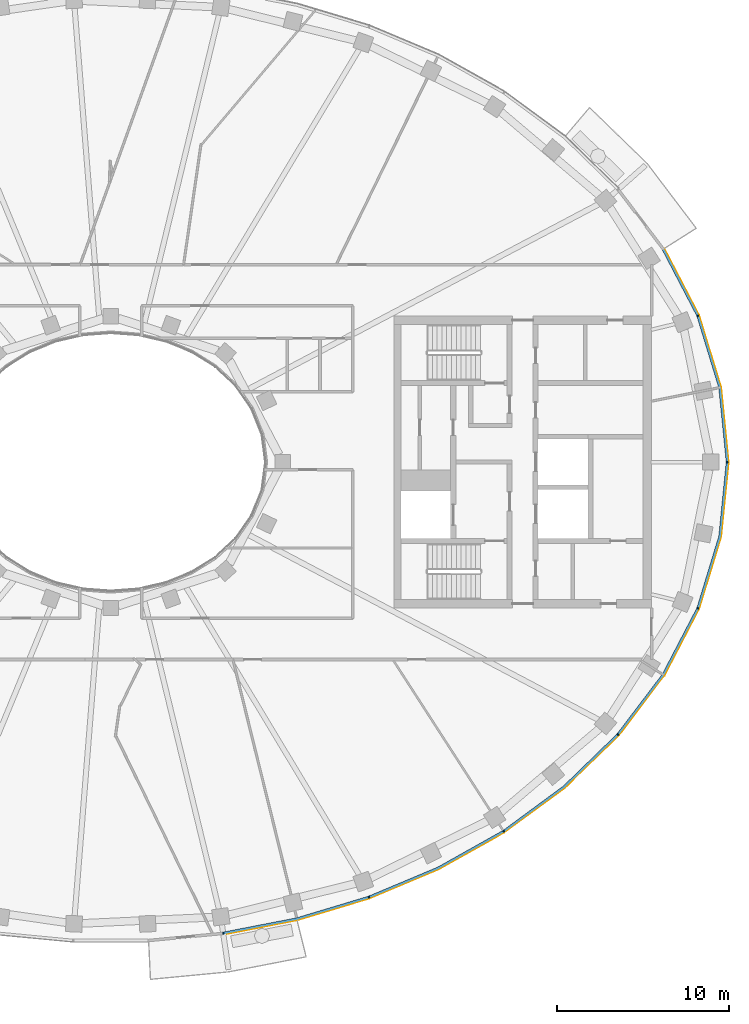
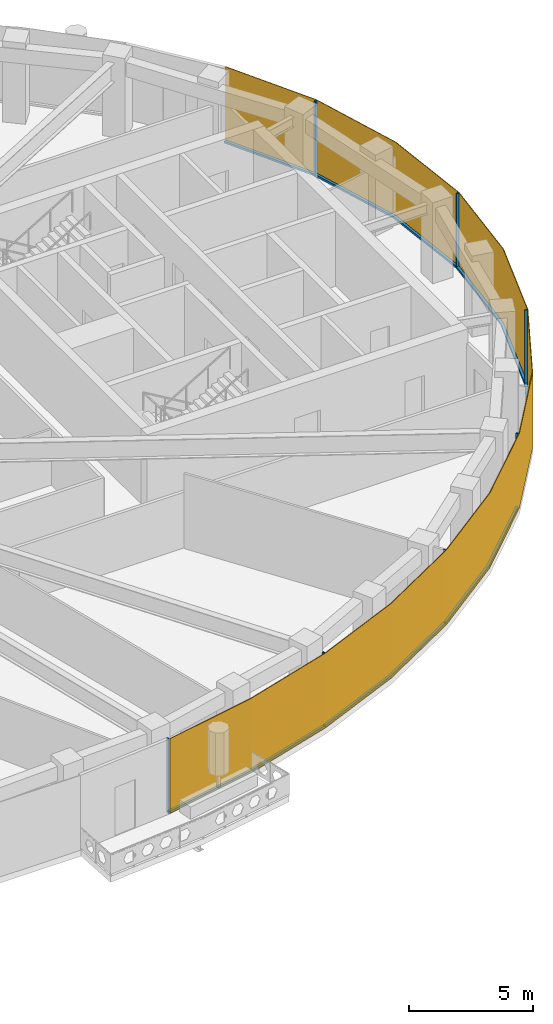
# One storey, part 10 of 16: 14 members, 1 curtain wall.
"""IFC4 building model written with IfcOpenShell, lengths in metres."""

from ifc_helpers import new_model, si_unit, direction, frame, origin, origin_2d, place, context, subcontext, project, spatial, polyline, rectangle, outline, extrude, material, layer, layer_set, material_profile, profile_set, type_object, element, aggregate, save


model = new_model("IFC4")

# Units and contexts
model_context = context("Model", 3, precision=1e-05, world=origin(), true_north=direction((0.0, 1.0)))
body_context = subcontext(model_context, "Body", "Model", "MODEL_VIEW")
ifc_project = project(units=[si_unit("LENGTHUNIT", "METRE"), si_unit("AREAUNIT", "SQUARE_METRE"), si_unit("VOLUMEUNIT", "CUBIC_METRE"), si_unit("PLANEANGLEUNIT", "RADIAN"), si_unit("MASSUNIT", "GRAM", prefix="KILO")], contexts=[model_context])

# Member
ifc_material_1 = material(Name="Aluminium 6063-T6 black anodised", Category="aluminium")
ifc_material_profile = material_profile(ifc_material_1, rectangle(XDim=0.1201171875, YDim=0.06005859375, at=origin_2d()), Name="120x60")
ifc_profile_set = profile_set([ifc_material_profile], Name="Aluminium 6063-T6 black anodised")
member_type_1 = type_object("IfcMemberType", Name="ENV-MULLION-A-120", PredefinedType="MULLION", material=ifc_profile_set)
site_placement = place(None, origin())
building_placement = place(site_placement, origin())
storey_placement = place(building_placement, frame((0.0, 0.0, 299.0)))
member_1_placement = place(storey_placement, frame((6.54638671875, -27.440185546875, 0.0), z_axis=(0.0, 0.0, 1.0), x_axis=(-0.143082012705, 0.989710835366, 0.0)))
member_1 = element("IfcMember", 1, at=member_1_placement, type_object=member_type_1, Name="Mullion A radial 37", PredefinedType="MULLION", context=body_context, shape_type="SweptSolid", body=[
    extrude(rectangle(XDim=0.1201171875, YDim=0.06005859375, at=origin_2d()), origin(), (0.0, 0.0, 1.0), 3.699951171875),
])

member_2_placement = place(storey_placement, frame((15.0341796875, -25.34375, 0.0), z_axis=(0.0, 0.0, 1.0), x_axis=(-0.338379256581, 0.941009818608, 0.0)))
member_2 = element("IfcMember", 2, at=member_2_placement, type_object=member_type_1, Name="Mullion A radial 39", PredefinedType="MULLION", context=body_context, shape_type="SweptSolid", body=[
    extrude(rectangle(XDim=0.1201171875, YDim=0.06005859375, at=origin_2d()), origin(), (0.0, 0.0, 1.0), 3.699951171875),
])

member_3_placement = place(storey_placement, frame((22.882568359375, -21.506591796875, 0.0), z_axis=(0.0, 0.0, 1.0), x_axis=(-0.542279153225, 0.840198381323, 0.0)))
member_3 = element("IfcMember", 3, at=member_3_placement, type_object=member_type_1, Name="Mullion A radial 41", PredefinedType="MULLION", context=body_context, shape_type="SweptSolid", body=[
    extrude(rectangle(XDim=0.1201171875, YDim=0.06005859375, at=origin_2d()), origin(), (0.0, 0.0, 1.0), 3.699951171875),
])

member_4_placement = place(storey_placement, frame((29.53857421875, -15.8671875, 0.0), z_axis=(0.0, 0.0, 1.0), x_axis=(-0.749047221705, 0.662516610853, 0.0)))
member_4 = element("IfcMember", 4, at=member_4_placement, type_object=member_type_1, Name="Mullion A radial 43", PredefinedType="MULLION", context=body_context, shape_type="SweptSolid", body=[
    extrude(rectangle(XDim=0.1201171875, YDim=0.06005859375, at=origin_2d()), origin(), (0.0, 0.0, 1.0), 3.699951171875),
])

member_5_placement = place(storey_placement, frame((34.19580078125, -8.513916015625, 0.0), z_axis=(0.0, 0.0, 1.0), x_axis=(-0.92546738067, 0.378827305398, 0.0)))
member_5 = element("IfcMember", 5, at=member_5_placement, type_object=member_type_1, Name="Mullion A radial 45", PredefinedType="MULLION", context=body_context, shape_type="SweptSolid", body=[
    extrude(rectangle(XDim=0.1201171875, YDim=0.06005859375, at=origin_2d()), origin(), (0.0, 0.0, 1.0), 3.699951171875),
])

member_6_placement = place(storey_placement, frame((35.907958984375, 0.0, 0.0), z_axis=(0.0, 0.0, 1.0), x_axis=(-1.0, 0.0, 0.0)))
member_6 = element("IfcMember", 6, at=member_6_placement, type_object=member_type_1, Name="Mullion A radial 01", PredefinedType="MULLION", context=body_context, shape_type="SweptSolid", body=[
    extrude(rectangle(XDim=0.1201171875, YDim=0.06005859375, at=origin_2d()), origin(), (0.0, 0.0, 1.0), 3.699951171875),
])

member_7_placement = place(storey_placement, frame((34.19580078125, 8.513916015625, 0.0), z_axis=(0.0, 0.0, 1.0), x_axis=(-0.92546738067, -0.378827305398, 0.0)))
member_7 = element("IfcMember", 7, at=member_7_placement, type_object=member_type_1, Name="Mullion A radial 03", PredefinedType="MULLION", context=body_context, shape_type="SweptSolid", body=[
    extrude(rectangle(XDim=0.1201171875, YDim=0.06005859375, at=origin_2d()), origin(), (0.0, 0.0, 1.0), 3.699951171875),
])

ifc_material_2 = material(Name="Aluminium 6063-T6 black anodised", Category="aluminium")
member_type_2 = type_object("IfcMemberType", Name="ENV-TRANSOM-A", PredefinedType="USERDEFINED", material=ifc_material_2)
member_8_placement = place(storey_placement, origin())
member_8 = element("IfcMember", 8, at=member_8_placement, type_object=member_type_2, Name="Transom A radial 37-39", ObjectType="TRANSOM", PredefinedType="USERDEFINED", context=body_context, shape_type="SweptSolid", body=[
    extrude(outline(polyline([(6.58251953125, -27.494140625), (10.857666015625, -26.6630859375), (15.027587890625, -25.408203125), (14.987060546875, -25.295166015625), (10.828857421875, -26.54638671875), (6.5654296875, -27.375244140625), (6.58251953125, -27.494140625)])), origin(), (0.0, 0.0, 1.0), 0.10009765625),
])

member_9_placement = place(storey_placement, origin())
member_9 = element("IfcMember", 9, at=member_9_placement, type_object=member_type_2, Name="Transom A radial 39-41", ObjectType="TRANSOM", PredefinedType="USERDEFINED", context=body_context, shape_type="SweptSolid", body=[
    extrude(outline(polyline([(15.080322265625, -25.389404296875), (19.093994140625, -23.701416015625), (22.890625, -21.570556640625), (22.825439453125, -21.469482421875), (19.041259765625, -23.593505859375), (15.03955078125, -25.276123046875), (15.080322265625, -25.389404296875)])), origin(), (0.0, 0.0, 1.0), 0.10009765625),
])

member_10_placement = place(storey_placement, origin())
member_10 = element("IfcMember", 10, at=member_10_placement, type_object=member_type_2, Name="Transom A radial 41-43", ObjectType="TRANSOM", PredefinedType="USERDEFINED", context=body_context, shape_type="SweptSolid", body=[
    extrude(outline(polyline([(22.937744140625, -21.540283203125), (26.4423828125, -18.958740234375), (29.5634765625, -15.926513671875), (29.473388671875, -15.8466796875), (26.364501953125, -18.866943359375), (22.87255859375, -21.439208984375), (22.937744140625, -21.540283203125)])), origin(), (0.0, 0.0, 1.0), 0.10009765625),
])

member_11_placement = place(storey_placement, origin())
member_11 = element("IfcMember", 11, at=member_11_placement, type_object=member_type_2, Name="Transom A radial 43-45", ObjectType="TRANSOM", PredefinedType="USERDEFINED", context=body_context, shape_type="SweptSolid", body=[
    extrude(outline(polyline([(29.6005859375, -15.884521484375), (32.22802734375, -12.41748046875), (34.23828125, -8.5615234375), (34.126708984375, -8.515869140625), (32.126220703125, -12.35302734375), (29.51025390625, -15.8046875), (29.6005859375, -15.884521484375)])), origin(), (0.0, 0.0, 1.0), 0.10009765625),
])

member_12_placement = place(storey_placement, origin())
member_12 = element("IfcMember", 12, at=member_12_placement, type_object=member_type_2, Name="Transom A radial 45-01", ObjectType="TRANSOM", PredefinedType="USERDEFINED", context=body_context, shape_type="SweptSolid", body=[
    extrude(outline(polyline([(34.259521484375, -8.509765625), (35.529541015625, -4.352294921875), (35.965087890625, -0.02783203125), (35.844482421875, -0.02783203125), (35.411376953125, -4.32861328125), (34.14794921875, -8.464111328125), (34.259521484375, -8.509765625)])), origin(), (0.0, 0.0, 1.0), 0.10009765625),
])

member_13_placement = place(storey_placement, origin())
member_13 = element("IfcMember", 13, at=member_13_placement, type_object=member_type_2, Name="Transom A radial 01-03", ObjectType="TRANSOM", PredefinedType="USERDEFINED", context=body_context, shape_type="SweptSolid", body=[
    extrude(outline(polyline([(35.965087890625, 0.02783203125), (35.529541015625, 4.352294921875), (34.259521484375, 8.509765625), (34.14794921875, 8.464111328125), (35.411376953125, 4.32861328125), (35.844482421875, 0.02783203125), (35.965087890625, 0.02783203125)])), origin(), (0.0, 0.0, 1.0), 0.10009765625),
])

member_14_placement = place(storey_placement, origin())
member_14 = element("IfcMember", 14, at=member_14_placement, type_object=member_type_2, Name="Transom A radial 03-04", ObjectType="TRANSOM", PredefinedType="USERDEFINED", context=body_context, shape_type="SweptSolid", body=[
    extrude(outline(polyline([(34.23828125, 8.5615234375), (32.2373046875, 12.39990234375), (32.135498046875, 12.33544921875), (34.126708984375, 8.515869140625), (34.23828125, 8.5615234375)])), origin(), (0.0, 0.0, 1.0), 0.10009765625),
])

# Site, building, storey
site = spatial("IfcSite", under=ifc_project, at=site_placement, CompositionType="ELEMENT")
building = spatial("IfcBuilding", under=site, at=building_placement, Name="Noorbagh Ring Tower", CompositionType="ELEMENT")
storey = spatial("IfcBuildingStorey", under=building, at=storey_placement, Name="L64", CompositionType="ELEMENT", Elevation=299.0)

# Curtain wall
ifc_material_3 = material(Name="Glass dark tinted laminated", Category="glass")
ifc_layer = layer(ifc_material_3, 0.031982421875)
ifc_layer_set = layer_set([ifc_layer], Name="Glass dark tinted laminated")
curtain_wall_type = type_object("IfcCurtainWallType", Name="ENV-CW-A", PredefinedType="NOTDEFINED", material=ifc_layer_set)
curtain_wall_placement = place(storey_placement, origin())
curtain_wall = element("IfcCurtainWall", 15, at=curtain_wall_placement, inside=storey, type_object=curtain_wall_type, Name="Curtain wall A R37", PredefinedType="NOTDEFINED", context=body_context, shape_type="SweptSolid", body=[
    extrude(outline(polyline([(6.579345703125, -27.52734375), (10.865234375, -26.6943359375), (15.065185546875, -25.430419921875), (19.108154296875, -23.730224609375), (22.9326171875, -21.583740234375), (26.463134765625, -18.9833984375), (29.607666015625, -15.927978515625), (32.255126953125, -12.434814453125), (34.281005859375, -8.548828125), (35.561279296875, -4.358642578125), (36.0, 0.0), (35.561279296875, 4.358642578125), (34.281005859375, 8.548828125), (32.264404296875, 12.4169921875), (32.2373046875, 12.39990234375), (34.251220703125, 8.53662109375), (35.529541015625, 4.352294921875), (35.9677734375, 0.0), (35.529541015625, -4.352294921875), (34.251220703125, -8.53662109375), (32.22802734375, -12.41748046875), (29.58349609375, -15.906982421875), (26.4423828125, -18.958740234375), (22.9150390625, -21.556884765625), (19.093994140625, -23.701416015625), (15.054443359375, -25.400146484375), (10.857666015625, -26.6630859375), (6.57470703125, -27.49560546875), (6.579345703125, -27.52734375)])), origin(), (0.0, 0.0, 1.0), 3.699951171875),
])

aggregate(curtain_wall, [member_1, member_2, member_3, member_4, member_5, member_6, member_7, member_8, member_9, member_10, member_11, member_12, member_13, member_14])

save(model, "model.ifc")
